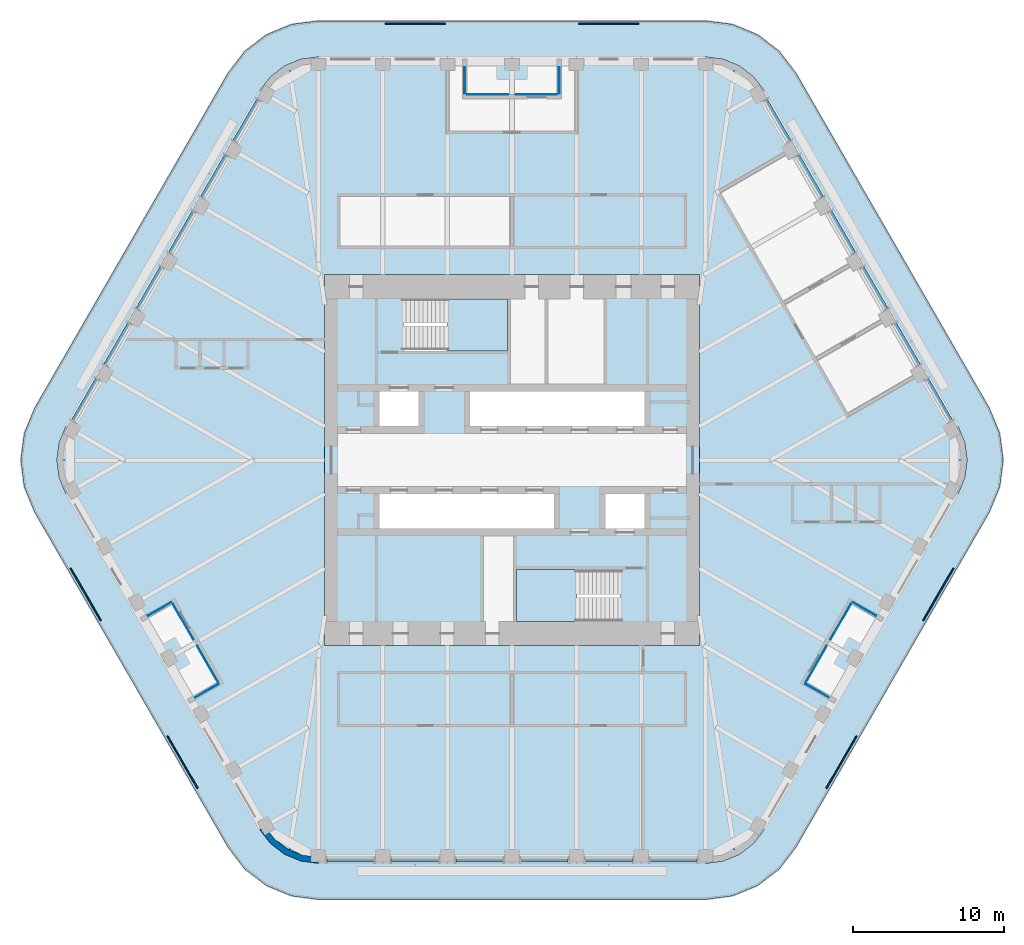
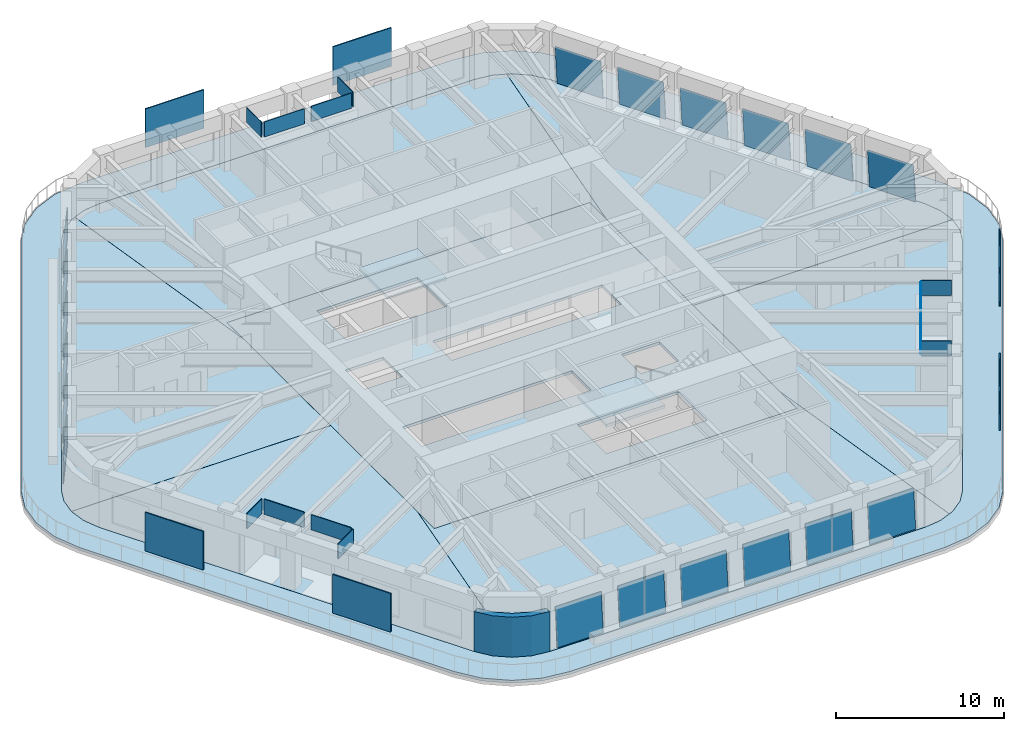
# One storey, part 12 of 19: 36 plates, 10 slabs, 1 wall, 20 elements without a shape of their own.
"""IFC4 building model written with IfcOpenShell, lengths in metres."""

from ifc_helpers import new_model, si_unit, direction, frame, origin, origin_2d, place, context, subcontext, project, spatial, polyline, rectangle, outline, extrude, material, layer, layer_set, type_object, element, aggregate, save


model = new_model("IFC4")

# Units and contexts
model_context = context("Model", 3, precision=1e-05, world=origin(), true_north=direction((0.0, 1.0)))
body_context = subcontext(model_context, "Body", "Model", "MODEL_VIEW")
ifc_project = project(units=[si_unit("LENGTHUNIT", "METRE"), si_unit("AREAUNIT", "SQUARE_METRE"), si_unit("VOLUMEUNIT", "CUBIC_METRE"), si_unit("PLANEANGLEUNIT", "RADIAN"), si_unit("MASSUNIT", "GRAM", prefix="KILO")], contexts=[model_context])

# Site, building, storey
site_placement = place(None, origin())
site = spatial("IfcSite", under=ifc_project, at=site_placement, CompositionType="ELEMENT")
building_placement = place(site_placement, origin())
building = spatial("IfcBuilding", under=site, at=building_placement, Name="Tarfa Lantern Tower", CompositionType="ELEMENT")
storey_placement = place(building_placement, frame((0.0, 0.0, 345.10009765625)))
storey = spatial("IfcBuildingStorey", under=building, at=storey_placement, Name="L78", CompositionType="ELEMENT", Elevation=345.10009765625)

# Slab
ifc_material_1 = material(Name="Concrete C40/50", Category="concrete")
ifc_layer_1 = layer(ifc_material_1, 0.199951171875)
ifc_layer_set_1 = layer_set([ifc_layer_1], Name="BS2 BALCONY SLAB 200")
slab_type_1 = type_object("IfcSlabType", Name="BS2 BALCONY SLAB 200", PredefinedType="FLOOR", material=ifc_layer_set_1)
slab_1_placement = place(storey_placement, frame((0.0, 0.0, -0.2001953125)))
element("IfcSlab", 1, at=slab_1_placement, inside=storey, type_object=slab_type_1, Name="Balcony L78", PredefinedType="FLOOR", context=body_context, shape_type="SweptSolid", body=[
    extrude(outline(polyline([(31.667724609375, 3.449951171875), (18.821533203125, 25.699951171875), (17.72509765625, 27.129150390625), (16.296142578125, 28.2255859375), (14.6318359375, 28.914794921875), (12.845947265625, 29.14990234375), (-12.845947265625, 29.14990234375), (-14.6318359375, 28.914794921875), (-16.296142578125, 28.2255859375), (-17.72509765625, 27.129150390625), (-18.821533203125, 25.699951171875), (-31.667724609375, 3.449951171875), (-32.35693359375, 1.785888671875), (-32.592041015625, 0.0), (-32.35693359375, -1.785888671875), (-31.667724609375, -3.449951171875), (-18.821533203125, -25.699951171875), (-17.72509765625, -27.129150390625), (-16.296142578125, -28.2255859375), (-14.6318359375, -28.914794921875), (-12.845947265625, -29.14990234375), (12.845947265625, -29.14990234375), (14.6318359375, -28.914794921875), (16.296142578125, -28.2255859375), (17.72509765625, -27.129150390625), (18.821533203125, -25.699951171875), (31.667724609375, -3.449951171875), (32.35693359375, -1.785888671875), (32.592041015625, 0.0), (32.35693359375, 1.785888671875), (31.667724609375, 3.449951171875)]), holes=[polyline([(29.589111328125, 2.25), (16.7431640625, 24.5), (16.028076171875, 25.431884765625), (15.095947265625, 26.147216796875), (14.0107421875, 26.5966796875), (12.845947265625, 26.75), (-12.845947265625, 26.75), (-14.0107421875, 26.5966796875), (-15.095947265625, 26.147216796875), (-16.028076171875, 25.431884765625), (-16.7431640625, 24.5), (-29.589111328125, 2.25), (-30.038818359375, 1.164794921875), (-30.192138671875, 0.0), (-30.038818359375, -1.164794921875), (-29.589111328125, -2.25), (-16.7431640625, -24.5), (-16.028076171875, -25.431884765625), (-15.095947265625, -26.147216796875), (-14.0107421875, -26.5966796875), (-12.845947265625, -26.75), (12.845947265625, -26.75), (14.0107421875, -26.5966796875), (15.095947265625, -26.147216796875), (16.028076171875, -25.431884765625), (16.7431640625, -24.5), (29.589111328125, -2.25), (30.038818359375, -1.164794921875), (30.192138671875, 0.0), (30.038818359375, 1.164794921875), (29.589111328125, 2.25)])]), origin(), (0.0, 0.0, 1.0), 0.2001953125),
])

# Curtain wall, plate
ifc_material_2 = material(Name="Aluminium framed curtain wall", Category="aluminium")
curtain_wall_type = type_object("IfcCurtainWallType", Name="CW4 CANTED GLAZING EXECUTIVE ZONE 2900", PredefinedType="USERDEFINED", material=ifc_material_2)
curtain_wall_1_placement = place(storey_placement, origin())
curtain_wall_1 = element("IfcCurtainWall", 2, at=curtain_wall_1_placement, inside=storey, type_object=curtain_wall_type, Name="CW4 NE L78", ObjectType="CURTAIN WALL", PredefinedType="USERDEFINED")
ifc_material_3 = material(Name="Laminated double glazing", Category="glass")
ifc_layer_2 = layer(ifc_material_3, 0.028076171875)
ifc_layer_set_2 = layer_set([ifc_layer_2], Name="CWP1 DOUBLE GLAZED PANEL")
plate_type_1 = type_object("IfcPlateType", Name="CWP1 DOUBLE GLAZED PANEL", PredefinedType="CURTAIN_PANEL", material=ifc_layer_set_2)
plate_1_placement = place(storey_placement, frame((29.22021484375, 2.689208984375, 0.0), z_axis=(0.862804843011, 0.49819050769, 0.085872119595), x_axis=(-0.500037562771, 0.866003715822, 0.0)))
plate_1 = element("IfcPlate", 3, at=plate_1_placement, type_object=plate_type_1, Name="CW4 panel 1.1", PredefinedType="CURTAIN_PANEL", context=body_context, shape_type="SweptSolid", body=[
    extrude(outline(polyline([(0.0, 0.0), (3.1521069462545803, 0.0), (3.1522365138844113, 2.845471633558051), (0.00012956762983128145, 2.845471633558051), (0.0, 0.0)])), origin(), (0.0, 0.0, -1.0), 0.028076171875),
])
aggregate(curtain_wall_1, [plate_1])

curtain_wall_2_placement = place(storey_placement, origin())
curtain_wall_2 = element("IfcCurtainWall", 4, at=curtain_wall_2_placement, inside=storey, type_object=curtain_wall_type, Name="CW4 NE L78", ObjectType="CURTAIN WALL", PredefinedType="USERDEFINED")
plate_2_placement = place(storey_placement, frame((27.0791015625, 6.397705078125, 0.0), z_axis=(0.862835078884, 0.498130796369, 0.085914703959), x_axis=(-0.499979472441, 0.866037255052, 0.0)))
plate_2 = element("IfcPlate", 5, at=plate_2_placement, type_object=plate_type_1, Name="CW4 panel 1.1", PredefinedType="CURTAIN_PANEL", context=body_context, shape_type="SweptSolid", body=[
    extrude(outline(polyline([(0.0, 0.0), (3.1519848738624487, 1.3877787807814457e-17), (3.151886616495537, 2.8454821188624972), (-9.82573669122272e-05, 2.8454821188624972), (0.0, 0.0)])), origin(), (0.0, 0.0, -1.0), 0.028076171875),
])
aggregate(curtain_wall_2, [plate_2])

curtain_wall_3_placement = place(storey_placement, origin())
curtain_wall_3 = element("IfcCurtainWall", 6, at=curtain_wall_3_placement, inside=storey, type_object=curtain_wall_type, Name="CW4 NE L78", ObjectType="CURTAIN WALL", PredefinedType="USERDEFINED")
plate_3_placement = place(storey_placement, frame((24.93798828125, 10.10595703125, 0.0), z_axis=(0.862827022781, 0.498148421989, 0.085893413189), x_axis=(-0.499996118478, 0.866027644769, -1.657084e-06)))
plate_3 = element("IfcPlate", 7, at=plate_3_placement, type_object=plate_type_1, Name="CW4 panel 1.1", PredefinedType="CURTAIN_PANEL", context=body_context, shape_type="SweptSolid", body=[
    extrude(outline(polyline([(0.0, 0.0), (3.1519848732758744, -1.3877787807814457e-17), (3.151886617082093, 2.845482118212779), (0.0001131763366805867, 2.8454716336074517), (0.0, 0.0)])), origin(), (0.0, 0.0, -1.0), 0.028076171875),
])
aggregate(curtain_wall_3, [plate_3])

curtain_wall_4_placement = place(storey_placement, origin())
curtain_wall_4 = element("IfcCurtainWall", 8, at=curtain_wall_4_placement, inside=storey, type_object=curtain_wall_type, Name="CW4 NE L78", ObjectType="CURTAIN WALL", PredefinedType="USERDEFINED")
plate_4_placement = place(storey_placement, frame((22.797119140625, 13.814208984375, 0.0), z_axis=(0.862838258141, 0.498132631813, 0.085872122435), x_axis=(-0.499979472441, 0.866037255052, 0.0)))
plate_4 = element("IfcPlate", 9, at=plate_4_placement, type_object=plate_type_1, Name="CW4 panel 1.1", PredefinedType="CURTAIN_PANEL", context=body_context, shape_type="SweptSolid", body=[
    extrude(outline(polyline([(0.0, 0.0), (3.1519848738624487, 0.0), (3.1520980513722585, 2.8454716342571658), (0.0001131775098094225, 2.8454716342571658), (0.0, 0.0)])), origin(), (0.0, 0.0, -1.0), 0.028076171875),
])
aggregate(curtain_wall_4, [plate_4])

curtain_wall_5_placement = place(storey_placement, origin())
curtain_wall_5 = element("IfcCurtainWall", 10, at=curtain_wall_5_placement, inside=storey, type_object=curtain_wall_type, Name="CW4 NE L78", ObjectType="CURTAIN WALL", PredefinedType="USERDEFINED")
plate_5_placement = place(storey_placement, frame((20.656005859375, 17.522705078125, 0.0), z_axis=(0.862835078884, 0.498130796369, 0.085914703959), x_axis=(-0.499979472441, 0.866037255052, 0.0)))
plate_5 = element("IfcPlate", 11, at=plate_5_placement, type_object=plate_type_1, Name="CW4 panel 1.1", PredefinedType="CURTAIN_PANEL", context=body_context, shape_type="SweptSolid", body=[
    extrude(outline(polyline([(0.0, 0.0), (3.1519848738624487, 1.3877787807814457e-17), (3.151886616495537, 2.8454821188624972), (-9.82573669122272e-05, 2.8454821188624972), (0.0, 0.0)])), origin(), (0.0, 0.0, -1.0), 0.028076171875),
])
aggregate(curtain_wall_5, [plate_5])

curtain_wall_6_placement = place(storey_placement, origin())
curtain_wall_6 = element("IfcCurtainWall", 12, at=curtain_wall_6_placement, inside=storey, type_object=curtain_wall_type, Name="CW4 NE L78", ObjectType="CURTAIN WALL", PredefinedType="USERDEFINED")
plate_6_placement = place(storey_placement, frame((18.51513671875, 21.23095703125, 0.0), z_axis=(0.862793605668, 0.498206298305, 0.085893412712), x_axis=(-0.500054209453, 0.865994103678, -1.657212e-06)))
plate_6 = element("IfcPlate", 13, at=plate_6_placement, type_object=plate_type_1, Name="CW4 panel 1.1", PredefinedType="CURTAIN_PANEL", context=body_context, shape_type="SweptSolid", body=[
    extrude(outline(polyline([(0.0, 0.0), (3.1521069456678914, 2.7755575615628914e-17), (3.1520250877826514, 2.8454821187316206), (0.00012956645647832136, 2.845471632908193), (0.0, 0.0)])), origin(), (0.0, 0.0, -1.0), 0.028076171875),
])
aggregate(curtain_wall_6, [plate_6])

curtain_wall_7_placement = place(storey_placement, origin())
curtain_wall_7 = element("IfcCurtainWall", 14, at=curtain_wall_7_placement, inside=storey, type_object=curtain_wall_type, Name="CW4 NW L78", ObjectType="CURTAIN WALL", PredefinedType="USERDEFINED")
plate_7_placement = place(storey_placement, frame((-16.93896484375, 23.960693359375, 0.0), z_axis=(-0.862793605668, 0.498206298305, 0.085893412712), x_axis=(-0.500054209453, -0.865994103678, 1.657212e-06)))
plate_7 = element("IfcPlate", 15, at=plate_7_placement, type_object=plate_type_1, Name="CW4 panel 1.1", PredefinedType="CURTAIN_PANEL", context=body_context, shape_type="SweptSolid", body=[
    extrude(outline(polyline([(0.0, 0.0), (3.1521069456678914, -2.7755575615628914e-17), (3.151977379211413, 2.845471632908193), (8.185788524001455e-05, 2.8454821187316206), (0.0, 0.0)])), origin(), (0.0, 0.0, -1.0), 0.028076171875),
])
aggregate(curtain_wall_7, [plate_7])

curtain_wall_8_placement = place(storey_placement, origin())
curtain_wall_8 = element("IfcCurtainWall", 16, at=curtain_wall_8_placement, inside=storey, type_object=curtain_wall_type, Name="CW4 NW L78", ObjectType="CURTAIN WALL", PredefinedType="USERDEFINED")
plate_8_placement = place(storey_placement, frame((-19.080078125, 20.25244140625, 0.0), z_axis=(-0.862835078884, 0.498130796369, 0.085914703959), x_axis=(-0.499979472441, -0.866037255052, 0.0)))
plate_8 = element("IfcPlate", 17, at=plate_8_placement, type_object=plate_type_1, Name="CW4 panel 1.1", PredefinedType="CURTAIN_PANEL", context=body_context, shape_type="SweptSolid", body=[
    extrude(outline(polyline([(0.0, 0.0), (3.1519848738624487, -1.3877787807814457e-17), (3.1520831312293613, 2.8454821188624972), (9.82573669122272e-05, 2.8454821188624972), (0.0, 0.0)])), origin(), (0.0, 0.0, -1.0), 0.028076171875),
])
aggregate(curtain_wall_8, [plate_8])

curtain_wall_9_placement = place(storey_placement, origin())
curtain_wall_9 = element("IfcCurtainWall", 18, at=curtain_wall_9_placement, inside=storey, type_object=curtain_wall_type, Name="CW4 NW L78", ObjectType="CURTAIN WALL", PredefinedType="USERDEFINED")
plate_9_placement = place(storey_placement, frame((-21.22119140625, 16.5439453125, 0.0), z_axis=(-0.862838258141, 0.498132631813, 0.085872122435), x_axis=(-0.499979472441, -0.866037255052, 0.0)))
plate_9 = element("IfcPlate", 19, at=plate_9_placement, type_object=plate_type_1, Name="CW4 panel 1.1", PredefinedType="CURTAIN_PANEL", context=body_context, shape_type="SweptSolid", body=[
    extrude(outline(polyline([(0.0, 0.0), (3.1519848738624487, 0.0), (3.15187169635264, 2.8454716342571658), (-0.0001131775098094225, 2.8454716342571658), (0.0, 0.0)])), origin(), (0.0, 0.0, -1.0), 0.028076171875),
])
aggregate(curtain_wall_9, [plate_9])

curtain_wall_10_placement = place(storey_placement, origin())
curtain_wall_10 = element("IfcCurtainWall", 20, at=curtain_wall_10_placement, inside=storey, type_object=curtain_wall_type, Name="CW4 NW L78", ObjectType="CURTAIN WALL", PredefinedType="USERDEFINED")
plate_10_placement = place(storey_placement, frame((-23.362060546875, 12.835693359375, 0.0), z_axis=(-0.862827022781, 0.498148421989, 0.085893413189), x_axis=(-0.499996118478, -0.866027644769, 1.657084e-06)))
plate_10 = element("IfcPlate", 21, at=plate_10_placement, type_object=plate_type_1, Name="CW4 panel 1.1", PredefinedType="CURTAIN_PANEL", context=body_context, shape_type="SweptSolid", body=[
    extrude(outline(polyline([(0.0, 0.0), (3.1519848732758744, 1.3877787807814457e-17), (3.151871696939194, 2.8454716336074517), (9.825619378062742e-05, 2.845482118212779), (0.0, 0.0)])), origin(), (0.0, 0.0, -1.0), 0.028076171875),
])
aggregate(curtain_wall_10, [plate_10])

curtain_wall_11_placement = place(storey_placement, origin())
curtain_wall_11 = element("IfcCurtainWall", 22, at=curtain_wall_11_placement, inside=storey, type_object=curtain_wall_type, Name="CW4 NW L78", ObjectType="CURTAIN WALL", PredefinedType="USERDEFINED")
plate_11_placement = place(storey_placement, frame((-25.503173828125, 9.12744140625, 0.0), z_axis=(-0.862835078884, 0.498130796369, 0.085914703959), x_axis=(-0.499979472441, -0.866037255052, 0.0)))
plate_11 = element("IfcPlate", 23, at=plate_11_placement, type_object=plate_type_1, Name="CW4 panel 1.1", PredefinedType="CURTAIN_PANEL", context=body_context, shape_type="SweptSolid", body=[
    extrude(outline(polyline([(0.0, 0.0), (3.1519848738624487, -1.3877787807814457e-17), (3.1520831312293613, 2.8454821188624972), (9.82573669122272e-05, 2.8454821188624972), (0.0, 0.0)])), origin(), (0.0, 0.0, -1.0), 0.028076171875),
])
aggregate(curtain_wall_11, [plate_11])

curtain_wall_12_placement = place(storey_placement, origin())
curtain_wall_12 = element("IfcCurtainWall", 24, at=curtain_wall_12_placement, inside=storey, type_object=curtain_wall_type, Name="CW4 NW L78", ObjectType="CURTAIN WALL", PredefinedType="USERDEFINED")
plate_12_placement = place(storey_placement, frame((-27.64404296875, 5.4189453125, 0.0), z_axis=(-0.862804843011, 0.49819050769, 0.085872119595), x_axis=(-0.500037562771, -0.866003715822, 0.0)))
plate_12 = element("IfcPlate", 25, at=plate_12_placement, type_object=plate_type_1, Name="CW4 panel 1.1", PredefinedType="CURTAIN_PANEL", context=body_context, shape_type="SweptSolid", body=[
    extrude(outline(polyline([(0.0, 0.0), (3.1521069462545803, 0.0), (3.151977378624749, 2.845471633558051), (-0.00012956762983128145, 2.845471633558051), (0.0, 0.0)])), origin(), (0.0, 0.0, -1.0), 0.028076171875),
])
aggregate(curtain_wall_12, [plate_12])

curtain_wall_13_placement = place(storey_placement, origin())
curtain_wall_13 = element("IfcCurtainWall", 26, at=curtain_wall_13_placement, inside=storey, type_object=curtain_wall_type, Name="CW4 S L78", ObjectType="CURTAIN WALL", PredefinedType="USERDEFINED")
plate_13_placement = place(storey_placement, frame((-12.281005859375, -26.64990234375, 0.0), z_axis=(0.0, -0.996305022141, 0.085885405371), x_axis=(1.0, 0.0, 0.0)))
plate_13 = element("IfcPlate", 27, at=plate_13_placement, type_object=plate_type_1, Name="CW4 panel 1.1", PredefinedType="CURTAIN_PANEL", context=body_context, shape_type="SweptSolid", body=[
    extrude(outline(polyline([(0.0, 0.0), (3.15185546875, 0.0), (3.15185546875, 2.8454749042682606), (0.0, 2.8454749042682606), (0.0, 0.0)])), origin(), (0.0, 0.0, -1.0), 0.028076171875),
])
aggregate(curtain_wall_13, [plate_13])

curtain_wall_14_placement = place(storey_placement, origin())
curtain_wall_14 = element("IfcCurtainWall", 28, at=curtain_wall_14_placement, inside=storey, type_object=curtain_wall_type, Name="CW4 S L78", ObjectType="CURTAIN WALL", PredefinedType="USERDEFINED")
plate_14_placement = place(storey_placement, frame((-7.9990234375, -26.64990234375, 0.0), z_axis=(0.0, -0.996305022141, 0.085885405371), x_axis=(1.0, 0.0, 0.0)))
plate_14 = element("IfcPlate", 29, at=plate_14_placement, type_object=plate_type_1, Name="CW4 panel 1.1", PredefinedType="CURTAIN_PANEL", context=body_context, shape_type="SweptSolid", body=[
    extrude(outline(polyline([(0.0, 0.0), (3.152099609375, 0.0), (3.152099609375, 2.8454749042682606), (0.0, 2.8454749042682606), (0.0, 0.0)])), origin(), (0.0, 0.0, -1.0), 0.028076171875),
])
aggregate(curtain_wall_14, [plate_14])

curtain_wall_15_placement = place(storey_placement, origin())
curtain_wall_15 = element("IfcCurtainWall", 30, at=curtain_wall_15_placement, inside=storey, type_object=curtain_wall_type, Name="CW4 S L78", ObjectType="CURTAIN WALL", PredefinedType="USERDEFINED")
plate_15_placement = place(storey_placement, frame((-3.717041015625, -26.64990234375, 0.0), z_axis=(0.0, -0.996305022141, 0.085885405371), x_axis=(1.0, 0.0, 0.0)))
plate_15 = element("IfcPlate", 31, at=plate_15_placement, type_object=plate_type_1, Name="CW4 panel 1.1", PredefinedType="CURTAIN_PANEL", context=body_context, shape_type="SweptSolid", body=[
    extrude(outline(polyline([(0.0, 0.0), (3.152099609375, 0.0), (3.152099609375, 2.8454749042682606), (0.0, 2.8454749042682606), (0.0, 0.0)])), origin(), (0.0, 0.0, -1.0), 0.028076171875),
])
aggregate(curtain_wall_15, [plate_15])

curtain_wall_16_placement = place(storey_placement, origin())
curtain_wall_16 = element("IfcCurtainWall", 32, at=curtain_wall_16_placement, inside=storey, type_object=curtain_wall_type, Name="CW4 S L78", ObjectType="CURTAIN WALL", PredefinedType="USERDEFINED")
plate_16_placement = place(storey_placement, frame((0.56494140625, -26.64990234375, 0.0), z_axis=(0.0, -0.996305022141, 0.085885405371), x_axis=(1.0, 0.0, 0.0)))
plate_16 = element("IfcPlate", 33, at=plate_16_placement, type_object=plate_type_1, Name="CW4 panel 1.1", PredefinedType="CURTAIN_PANEL", context=body_context, shape_type="SweptSolid", body=[
    extrude(outline(polyline([(0.0, 0.0), (3.152099609375, 0.0), (3.152099609375, 2.8454749042682606), (0.0, 2.8454749042682606), (0.0, 0.0)])), origin(), (0.0, 0.0, -1.0), 0.028076171875),
])
aggregate(curtain_wall_16, [plate_16])

curtain_wall_17_placement = place(storey_placement, origin())
curtain_wall_17 = element("IfcCurtainWall", 34, at=curtain_wall_17_placement, inside=storey, type_object=curtain_wall_type, Name="CW4 S L78", ObjectType="CURTAIN WALL", PredefinedType="USERDEFINED")
plate_17_placement = place(storey_placement, frame((4.846923828125, -26.64990234375, 0.0), z_axis=(0.0, -0.996305022141, 0.085885405371), x_axis=(1.0, 0.0, 0.0)))
plate_17 = element("IfcPlate", 35, at=plate_17_placement, type_object=plate_type_1, Name="CW4 panel 1.1", PredefinedType="CURTAIN_PANEL", context=body_context, shape_type="SweptSolid", body=[
    extrude(outline(polyline([(0.0, 0.0), (3.152099609375, 0.0), (3.152099609375, 2.8454749042682606), (0.0, 2.8454749042682606), (0.0, 0.0)])), origin(), (0.0, 0.0, -1.0), 0.028076171875),
])
aggregate(curtain_wall_17, [plate_17])

curtain_wall_18_placement = place(storey_placement, origin())
curtain_wall_18 = element("IfcCurtainWall", 36, at=curtain_wall_18_placement, inside=storey, type_object=curtain_wall_type, Name="CW4 S L78", ObjectType="CURTAIN WALL", PredefinedType="USERDEFINED")
plate_18_placement = place(storey_placement, frame((9.129150390625, -26.64990234375, 0.0), z_axis=(0.0, -0.996305022141, 0.085885405371), x_axis=(1.0, 0.0, 0.0)))
plate_18 = element("IfcPlate", 37, at=plate_18_placement, type_object=plate_type_1, Name="CW4 panel 1.1", PredefinedType="CURTAIN_PANEL", context=body_context, shape_type="SweptSolid", body=[
    extrude(outline(polyline([(0.0, 0.0), (3.15185546875, 0.0), (3.15185546875, 2.8454749042682606), (0.0, 2.8454749042682606), (0.0, 0.0)])), origin(), (0.0, 0.0, -1.0), 0.028076171875),
])
aggregate(curtain_wall_18, [plate_18])

# Slabs
ifc_layer_3 = layer(ifc_material_1, 0.199951171875)
ifc_layer_set_3 = layer_set([ifc_layer_3], Name="FS1 FLOOR SLAB 200")
slab_type_2 = type_object("IfcSlabType", Name="FS1 FLOOR SLAB 200", PredefinedType="FLOOR", material=ifc_layer_set_3)
slab_2_placement = place(storey_placement, frame((0.0, 0.0, -0.2001953125)))
element("IfcSlab", 38, at=slab_2_placement, inside=storey, type_object=slab_type_2, Name="Floor slab L78", PredefinedType="FLOOR", context=body_context, shape_type="SweptSolid", body=[
    extrude(outline(polyline([(-12.425048828125, -12.300048828125), (12.425048828125, -12.300048828125), (12.425048828125, 12.300048828125), (-12.425048828125, 12.300048828125), (-12.425048828125, -12.300048828125)]), holes=[polyline([(-8.800048828125, 2.25), (-6.199951171875, 2.25), (-6.199951171875, 4.550048828125), (-8.800048828125, 4.550048828125), (-8.800048828125, 2.25)]), polyline([(-2.800048828125, 2.25), (8.800048828125, 2.25), (8.800048828125, 4.550048828125), (-2.800048828125, 4.550048828125), (-2.800048828125, 2.25)]), polyline([(8.800048828125, -2.25), (6.199951171875, -2.25), (6.199951171875, -4.550048828125), (8.800048828125, -4.550048828125), (8.800048828125, -2.25)]), polyline([(2.800048828125, -2.25), (-8.800048828125, -2.25), (-8.800048828125, -4.550048828125), (2.800048828125, -4.550048828125), (2.800048828125, -2.25)]), polyline([(-7.199951171875, 7.25), (-0.300048828125, 7.25), (-0.300048828125, 10.699951171875), (-7.199951171875, 10.699951171875), (-7.199951171875, 7.25)]), polyline([(7.199951171875, -7.25), (0.300048828125, -7.25), (0.300048828125, -10.699951171875), (7.199951171875, -10.699951171875), (7.199951171875, -7.25)])]), origin(), (0.0, 0.0, 1.0), 0.2001953125),
])
slab_3_placement = place(storey_placement, frame((0.0, 0.0, -0.2001953125)))
element("IfcSlab", 39, at=slab_3_placement, inside=storey, type_object=slab_type_2, Name="Floor slab L78 NE bay", PredefinedType="FLOOR", context=body_context, shape_type="SweptSolid", body=[
    extrude(outline(polyline([(29.58740234375, 2.2490234375), (16.741455078125, 24.498779296875), (16.026611328125, 25.4306640625), (15.094970703125, 26.145263671875), (14.802001953125, 26.2666015625), (12.427001953125, 10.2998046875), (12.427001953125, 0.001953125), (30.189697265625, 0.001953125), (30.036865234375, 1.1640625), (29.58740234375, 2.2490234375)])), origin(), (0.0, 0.0, 1.0), 0.2001953125),
])
slab_4_placement = place(storey_placement, frame((0.0, 0.0, -0.2001953125)))
element("IfcSlab", 40, at=slab_4_placement, inside=storey, type_object=slab_type_2, Name="Floor slab L78 N bay", PredefinedType="FLOOR", context=body_context, shape_type="SweptSolid", body=[
    extrude(outline(polyline([(-12.427001953125, 10.3271484375), (-12.427001953125, 12.302001953125), (12.427001953125, 12.302001953125), (12.427001953125, 10.3271484375), (14.79833984375, 26.268310546875), (14.01025390625, 26.5947265625), (12.845947265625, 26.748046875), (-12.845947265625, 26.748046875), (-14.01025390625, 26.5947265625), (-14.79833984375, 26.268310546875), (-12.427001953125, 10.3271484375)])), origin(), (0.0, 0.0, 1.0), 0.2001953125),
])
slab_5_placement = place(storey_placement, frame((0.0, 0.0, -0.2001953125)))
element("IfcSlab", 41, at=slab_5_placement, inside=storey, type_object=slab_type_2, Name="Floor slab L78 NW bay", PredefinedType="FLOOR", context=body_context, shape_type="SweptSolid", body=[
    extrude(outline(polyline([(-12.427001953125, 0.001953125), (-12.427001953125, 10.2998046875), (-14.802001953125, 26.2666015625), (-15.094970703125, 26.145263671875), (-16.026611328125, 25.4306640625), (-16.741455078125, 24.498779296875), (-29.58740234375, 2.2490234375), (-30.036865234375, 1.1640625), (-30.189697265625, 0.001953125), (-12.427001953125, 0.001953125)])), origin(), (0.0, 0.0, 1.0), 0.2001953125),
])
slab_6_placement = place(storey_placement, frame((0.0, 0.0, -0.2001953125)))
element("IfcSlab", 42, at=slab_6_placement, inside=storey, type_object=slab_type_2, Name="Floor slab L78 SW bay", PredefinedType="FLOOR", context=body_context, shape_type="SweptSolid", body=[
    extrude(outline(polyline([(-12.427001953125, -10.2998046875), (-12.427001953125, -0.001953125), (-30.189697265625, -0.001953125), (-30.036865234375, -1.1640625), (-29.58740234375, -2.2490234375), (-16.741455078125, -24.498779296875), (-16.026611328125, -25.4306640625), (-15.094970703125, -26.145263671875), (-14.802001953125, -26.2666015625), (-12.427001953125, -10.2998046875)])), origin(), (0.0, 0.0, 1.0), 0.2001953125),
])
slab_7_placement = place(storey_placement, frame((0.0, 0.0, -0.2001953125)))
element("IfcSlab", 43, at=slab_7_placement, inside=storey, type_object=slab_type_2, Name="Floor slab L78 S bay", PredefinedType="FLOOR", context=body_context, shape_type="SweptSolid", body=[
    extrude(outline(polyline([(12.427001953125, -10.3271484375), (12.427001953125, -12.302001953125), (-12.427001953125, -12.302001953125), (-12.427001953125, -10.3271484375), (-14.79833984375, -26.268310546875), (-14.01025390625, -26.5947265625), (-12.845947265625, -26.748046875), (12.845947265625, -26.748046875), (14.01025390625, -26.5947265625), (14.79833984375, -26.268310546875), (12.427001953125, -10.3271484375)])), origin(), (0.0, 0.0, 1.0), 0.2001953125),
])
slab_8_placement = place(storey_placement, frame((0.0, 0.0, -0.2001953125)))
element("IfcSlab", 44, at=slab_8_placement, inside=storey, type_object=slab_type_2, Name="Floor slab L78 SE bay", PredefinedType="FLOOR", context=body_context, shape_type="SweptSolid", body=[
    extrude(outline(polyline([(12.427001953125, -0.001953125), (12.427001953125, -10.2998046875), (14.802001953125, -26.2666015625), (15.094970703125, -26.145263671875), (16.026611328125, -25.4306640625), (16.741455078125, -24.498779296875), (29.58740234375, -2.2490234375), (30.036865234375, -1.1640625), (30.189697265625, -0.001953125), (12.427001953125, -0.001953125)])), origin(), (0.0, 0.0, 1.0), 0.2001953125),
])

# Plates
ifc_material_4 = material(Name="Aluminium fascia panel", Category="aluminium")
ifc_layer_4 = layer(ifc_material_4, 0.050048828125)
ifc_layer_set_4 = layer_set([ifc_layer_4], Name="LF1 LOGGIA HEAD FASCIA 50")
plate_type_2 = type_object("IfcPlateType", Name="LF1 LOGGIA HEAD FASCIA 50", PredefinedType="USERDEFINED", material=ifc_layer_set_4)
for number, where, z_axis, x_axis, name in (
    (45, (1.615966796875, 24.25, 2.89990234375), (0.0, 0.0, 1.0), (-1.0, 0.0, 0.0), "Terrace head fascia N"),
    (46, (-1.615966796875, 24.25, 2.89990234375), (0.0, 0.0, 1.0), (-1.0, 0.0, 0.0), "Terrace head fascia N"),
):
    element("IfcPlate", number, at=place(storey_placement, frame(where, z_axis=z_axis, x_axis=x_axis)), inside=storey, type_object=plate_type_2, Name=name, ObjectType="FASCIA", PredefinedType="USERDEFINED", context=body_context, shape_type="SweptSolid", body=[
        extrude(rectangle(XDim=2.73193359375, YDim=0.050048828125, at=origin_2d()), origin(), (0.0, 0.0, 1.0), 1.10009765625),
    ])
for number, where, z_axis, x_axis, name in (
    (47, (3.132080078125, 25.18505859375, 2.89990234375), (0.0, 0.0, 1.0), (0.0, -1.0, 0.0), "Terrace head fascia N"),
    (48, (-3.132080078125, 25.18505859375, 2.89990234375), (0.0, 0.0, 1.0), (0.0, -1.0, 0.0), "Terrace head fascia N"),
):
    element("IfcPlate", number, at=place(storey_placement, frame(where, z_axis=z_axis, x_axis=x_axis)), inside=storey, type_object=plate_type_2, Name=name, ObjectType="FASCIA", PredefinedType="USERDEFINED", context=body_context, shape_type="SweptSolid", body=[
        extrude(rectangle(XDim=1.77001953125, YDim=0.050048828125, at=origin_2d()), origin(), (0.0, 0.0, 1.0), 1.10009765625),
    ])
for number, where, z_axis, x_axis, name in (
    (49, (-21.80908203125, -10.7255859375, 2.89990234375), (0.0, 0.0, 1.0), (0.5, -0.866025403784, 0.0), "Terrace head fascia SW"),
    (50, (-20.193115234375, -13.5244140625, 2.89990234375), (0.0, 0.0, 1.0), (0.5, -0.866025403784, 0.0), "Terrace head fascia SW"),
):
    element("IfcPlate", number, at=place(storey_placement, frame(where, z_axis=z_axis, x_axis=x_axis)), inside=storey, type_object=plate_type_2, Name=name, ObjectType="FASCIA", PredefinedType="USERDEFINED", context=body_context, shape_type="SweptSolid", body=[
        extrude(rectangle(XDim=2.73193359375, YDim=0.050048828125, at=origin_2d()), origin(), (0.0, 0.0, 1.0), 1.10009765625),
    ])
for number, where, z_axis, x_axis, name in (
    (51, (-23.376953125, -9.880126953125, 2.89990234375), (0.0, 0.0, 1.0), (0.866025403784, 0.5, 0.0), "Terrace head fascia SW"),
    (52, (-20.244873046875, -15.304931640625, 2.89990234375), (0.0, 0.0, 1.0), (0.866025403784, 0.5, 0.0), "Terrace head fascia SW"),
):
    element("IfcPlate", number, at=place(storey_placement, frame(where, z_axis=z_axis, x_axis=x_axis)), inside=storey, type_object=plate_type_2, Name=name, ObjectType="FASCIA", PredefinedType="USERDEFINED", context=body_context, shape_type="SweptSolid", body=[
        extrude(rectangle(XDim=1.77001953125, YDim=0.050048828125, at=origin_2d()), origin(), (0.0, 0.0, 1.0), 1.10009765625),
    ])
for number, where, z_axis, x_axis, name in (
    (53, (20.193115234375, -13.5244140625, 2.89990234375), (0.0, 0.0, 1.0), (0.5, 0.866025403784, 0.0), "Terrace head fascia SE"),
    (54, (21.80908203125, -10.7255859375, 2.89990234375), (0.0, 0.0, 1.0), (0.5, 0.866025403784, 0.0), "Terrace head fascia SE"),
):
    element("IfcPlate", number, at=place(storey_placement, frame(where, z_axis=z_axis, x_axis=x_axis)), inside=storey, type_object=plate_type_2, Name=name, ObjectType="FASCIA", PredefinedType="USERDEFINED", context=body_context, shape_type="SweptSolid", body=[
        extrude(rectangle(XDim=2.73193359375, YDim=0.050048828125, at=origin_2d()), origin(), (0.0, 0.0, 1.0), 1.10009765625),
    ])
for number, where, z_axis, x_axis, name in (
    (55, (20.244873046875, -15.304931640625, 2.89990234375), (0.0, 0.0, 1.0), (-0.866025403784, 0.5, 0.0), "Terrace head fascia SE"),
    (56, (23.376953125, -9.880126953125, 2.89990234375), (0.0, 0.0, 1.0), (-0.866025403784, 0.5, 0.0), "Terrace head fascia SE"),
):
    element("IfcPlate", number, at=place(storey_placement, frame(where, z_axis=z_axis, x_axis=x_axis)), inside=storey, type_object=plate_type_2, Name=name, ObjectType="FASCIA", PredefinedType="USERDEFINED", context=body_context, shape_type="SweptSolid", body=[
        extrude(rectangle(XDim=1.77001953125, YDim=0.050048828125, at=origin_2d()), origin(), (0.0, 0.0, 1.0), 1.10009765625),
    ])
ifc_material_5 = material(Name="Perforated limestone screen", Category="masonry")
ifc_layer_5 = layer(ifc_material_5, 0.080078125)
ifc_layer_set_5 = layer_set([ifc_layer_5], Name="SC1 STONE SCREEN 80")
plate_type_3 = type_object("IfcPlateType", Name="SC1 STONE SCREEN 80", PredefinedType="USERDEFINED", material=ifc_layer_set_5)
for number, where, z_axis, x_axis, name in (
    (57, (6.423095703125, 28.949951171875, 1.19970703125), (0.0, 0.0, 1.0), (-1.0, 0.0, 0.0), "Stone screen N 1"),
    (58, (-6.423095703125, 28.949951171875, 1.19970703125), (0.0, 0.0, 1.0), (-1.0, 0.0, 0.0), "Stone screen N 2"),
    (59, (-28.282958984375, -8.91259765625, 1.19970703125), (0.0, 0.0, 1.0), (0.5, -0.866025403784, 0.0), "Stone screen SW 1"),
    (60, (-21.85986328125, -20.03759765625, 1.19970703125), (0.0, 0.0, 1.0), (0.5, -0.866025403784, 0.0), "Stone screen SW 2"),
    (61, (21.85986328125, -20.03759765625, 1.19970703125), (0.0, 0.0, 1.0), (0.5, 0.866025403784, 0.0), "Stone screen SE 1"),
    (62, (28.282958984375, -8.91259765625, 1.19970703125), (0.0, 0.0, 1.0), (0.5, 0.866025403784, 0.0), "Stone screen SE 2"),
):
    element("IfcPlate", number, at=place(storey_placement, frame(where, z_axis=z_axis, x_axis=x_axis)), inside=storey, type_object=plate_type_3, Name=name, ObjectType="SCREEN", PredefinedType="USERDEFINED", context=body_context, shape_type="SweptSolid", body=[
        extrude(rectangle(XDim=4.0, YDim=0.080078125, at=origin_2d()), origin(), (0.0, 0.0, 1.0), 2.800048828125),
    ])

# Stair, slab
stair_type = type_object("IfcStairType", Name="ST-T10 HALF-TURN STAIR 4200 RISE", PredefinedType="HALF_TURN_STAIR", material=ifc_material_1)
stair_1_placement = place(storey_placement, origin())
stair_1 = element("IfcStair", 63, at=stair_1_placement, inside=storey, type_object=stair_type, Name="Stair ST1", PredefinedType="HALF_TURN_STAIR")
ifc_layer_6 = layer(ifc_material_1, 0.199951171875)
ifc_layer_set_6 = layer_set([ifc_layer_6], Name="SL1 STAIR LANDING 200")
slab_type_3 = type_object("IfcSlabType", Name="SL1 STAIR LANDING 200", PredefinedType="LANDING", material=ifc_layer_set_6)
slab_9_placement = place(storey_placement, frame((0.0, 0.0, 1.89990234375)))
slab_9 = element("IfcSlab", 64, at=slab_9_placement, type_object=slab_type_3, Name="ST1 landing 1", PredefinedType="LANDING", context=body_context, shape_type="SweptSolid", body=[
    extrude(outline(polyline([(-4.320068359375, 7.25), (-0.300048828125, 7.25), (-0.300048828125, 10.699951171875), (-4.320068359375, 10.699951171875), (-4.320068359375, 7.25)])), origin(), (0.0, 0.0, 1.0), 0.199951171875),
])
aggregate(stair_1, [slab_9])

stair_2_placement = place(storey_placement, origin())
stair_2 = element("IfcStair", 65, at=stair_2_placement, inside=storey, type_object=stair_type, Name="Stair ST2", PredefinedType="HALF_TURN_STAIR")
slab_10_placement = place(storey_placement, frame((0.0, 0.0, 1.89990234375)))
slab_10 = element("IfcSlab", 66, at=slab_10_placement, type_object=slab_type_3, Name="ST2 landing 1", PredefinedType="LANDING", context=body_context, shape_type="SweptSolid", body=[
    extrude(outline(polyline([(4.320068359375, -7.25), (0.300048828125, -7.25), (0.300048828125, -10.699951171875), (4.320068359375, -10.699951171875), (4.320068359375, -7.25)])), origin(), (0.0, 0.0, 1.0), 0.199951171875),
])
aggregate(stair_2, [slab_10])

# Wall
ifc_material_6 = material(Name="Limestone cladding on blockwork", Category="masonry")
ifc_layer_7 = layer(ifc_material_6, 0.39990234375)
ifc_layer_set_7 = layer_set([ifc_layer_7], Name="EW2 CURVED STONE CORNER 400")
wall_type = type_object("IfcWallType", Name="EW2 CURVED STONE CORNER 400", PredefinedType="SOLIDWALL", material=ifc_layer_set_7)
wall_placement = place(storey_placement, origin())
element("IfcWall", 67, at=wall_placement, inside=storey, type_object=wall_type, Name="Stone corner SW-S", PredefinedType="SOLIDWALL", context=body_context, shape_type="SweptSolid", body=[
    extrude(outline(polyline([(-16.7431640625, -24.5), (-16.028076171875, -25.431884765625), (-15.095947265625, -26.147216796875), (-14.0107421875, -26.5966796875), (-12.845947265625, -26.75), (-12.845947265625, -26.35009765625), (-13.9072265625, -26.210205078125), (-14.89599609375, -25.80078125), (-15.7451171875, -25.149169921875), (-16.396728515625, -24.300048828125), (-16.7431640625, -24.5)])), origin(), (0.0, 0.0, 1.0), 2.89990234375),
])

save(model, "model.ifc")
